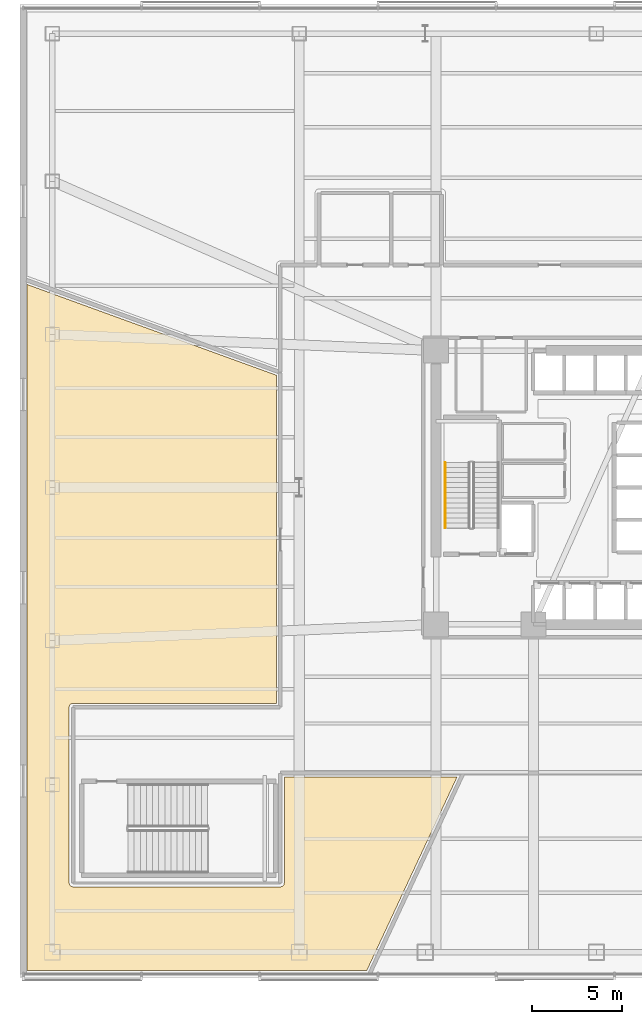
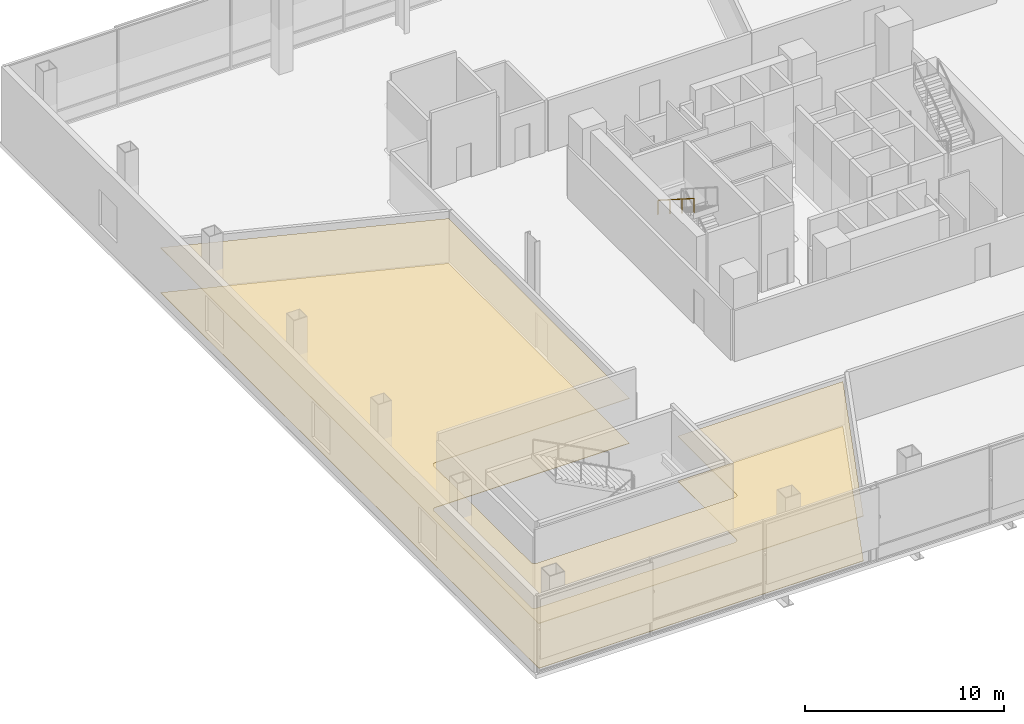
# One storey, part 19 of 24: 2 coverings, 1 railing.
"""IFC4 building model written with IfcOpenShell, lengths in metres."""

from ifc_helpers import new_model, si_unit, direction, frame, origin, origin_2d, place, context, subcontext, project, spatial, polyline, rectangle, outline, extrude, material, layer, layer_set, type_object, element, save


model = new_model("IFC4")

# Units and contexts
model_context = context("Model", 3, precision=1e-05, world=origin(), true_north=direction((0.0, 1.0)))
body_context = subcontext(model_context, "Body", "Model", "MODEL_VIEW")
ifc_project = project(units=[si_unit("LENGTHUNIT", "METRE"), si_unit("AREAUNIT", "SQUARE_METRE"), si_unit("VOLUMEUNIT", "CUBIC_METRE"), si_unit("PLANEANGLEUNIT", "RADIAN"), si_unit("MASSUNIT", "GRAM", prefix="KILO")], contexts=[model_context])

# Site, building, storey
site_placement = place(None, origin())
site = spatial("IfcSite", under=ifc_project, at=site_placement, CompositionType="ELEMENT")
building_placement = place(site_placement, origin())
building = spatial("IfcBuilding", under=site, at=building_placement, Name="Tharavind Bronze Gate", CompositionType="ELEMENT")
storey_placement = place(building_placement, frame((0.0, 0.0, 21.5)))
storey = spatial("IfcBuildingStorey", under=building, at=storey_placement, Name="L04", CompositionType="ELEMENT", Elevation=21.5)

# Coverings
ifc_material_1 = material(Name="Perforated Bronze Acoustic Panel", Category="bronze")
ifc_layer_1 = layer(ifc_material_1, 0.044921875)
ifc_layer_set_1 = layer_set([ifc_layer_1], Name="Perforated Bronze Acoustic Panel")
covering_type_1 = type_object("IfcCoveringType", Name="ACOUSTIC BRONZE BAFFLE CEILING", PredefinedType="CEILING", material=ifc_layer_set_1)
covering_1_placement = place(storey_placement, frame((0.0, 0.0, 2.75)))
element("IfcCovering", 1, at=covering_1_placement, inside=storey, type_object=covering_type_1, Name="L04-PD-03 suspended ceiling", PredefinedType="CEILING", context=body_context, shape_type="SweptSolid", body=[
    extrude(outline(polyline([(-31.60009765625, -26.800048828125), (-12.73974609375, -26.800048828125), (-7.736328125, -16.070068359375), (-17.330078125, -16.070068359375), (-17.330078125, -21.949462890625), (-17.330322265625, -21.960205078125), (-17.330322265625, -21.960693359375), (-17.33251953125, -21.982421875), (-17.336669921875, -22.00341796875), (-17.343017578125, -22.024169921875), (-17.351318359375, -22.0439453125), (-17.361328125, -22.06298828125), (-17.373291015625, -22.0810546875), (-17.386962890625, -22.09765625), (-17.40234375, -22.113037109375), (-17.4189453125, -22.126708984375), (-17.43701171875, -22.138671875), (-17.4560546875, -22.148681640625), (-17.475830078125, -22.156982421875), (-17.49658203125, -22.163330078125), (-17.517578125, -22.16748046875), (-17.539306640625, -22.169677734375), (-17.539794921875, -22.169677734375), (-17.550537109375, -22.169921875), (-29.04931640625, -22.169921875), (-29.060302734375, -22.169677734375), (-29.060791015625, -22.169677734375), (-29.082275390625, -22.16748046875), (-29.103515625, -22.163330078125), (-29.1240234375, -22.156982421875), (-29.14404296875, -22.148681640625), (-29.1630859375, -22.138671875), (-29.180908203125, -22.126708984375), (-29.19775390625, -22.113037109375), (-29.212890625, -22.09765625), (-29.226806640625, -22.0810546875), (-29.23876953125, -22.06298828125), (-29.248779296875, -22.0439453125), (-29.257080078125, -22.024169921875), (-29.263427734375, -22.00341796875), (-29.267578125, -21.982421875), (-29.269775390625, -21.960693359375), (-29.269775390625, -21.960205078125), (-29.27001953125, -21.949462890625), (-29.27001953125, -12.20068359375), (-29.269775390625, -12.189697265625), (-29.269775390625, -12.189208984375), (-29.267578125, -12.167724609375), (-29.263427734375, -12.146484375), (-29.257080078125, -12.1259765625), (-29.248779296875, -12.10595703125), (-29.23876953125, -12.0869140625), (-29.226806640625, -12.069091796875), (-29.212890625, -12.05224609375), (-29.19775390625, -12.037109375), (-29.180908203125, -12.023193359375), (-29.1630859375, -12.01123046875), (-29.14404296875, -12.001220703125), (-29.1240234375, -11.992919921875), (-29.103515625, -11.986572265625), (-29.082275390625, -11.982421875), (-29.060791015625, -11.980224609375), (-29.060302734375, -11.980224609375), (-29.04931640625, -11.97998046875), (-17.77001953125, -11.97998046875), (-17.77001953125, 6.233642578125), (-31.60009765625, 11.267333984375), (-31.60009765625, -26.800048828125)])), origin(), (0.0, 0.0, 1.0), 0.034912109375),
])
ifc_material_2 = material(Name="Honed Travertine Limestone", Category="masonry")
ifc_layer_2 = layer(ifc_material_2, 0.030029296875)
ifc_layer_set_2 = layer_set([ifc_layer_2], Name="Honed Travertine Limestone")
covering_type_2 = type_object("IfcCoveringType", Name="HONED LIMESTONE FLOORING", PredefinedType="FLOORING", material=ifc_layer_set_2)
covering_2_placement = place(storey_placement, origin())
element("IfcCovering", 2, at=covering_2_placement, inside=storey, type_object=covering_type_2, Name="L04-PD-03 floor finish", PredefinedType="FLOORING", context=body_context, shape_type="SweptSolid", body=[
    extrude(outline(polyline([(-31.60009765625, -26.800048828125), (-12.73974609375, -26.800048828125), (-7.736328125, -16.070068359375), (-17.330078125, -16.070068359375), (-17.330078125, -21.949462890625), (-17.330322265625, -21.960205078125), (-17.330322265625, -21.960693359375), (-17.33251953125, -21.982421875), (-17.336669921875, -22.00341796875), (-17.343017578125, -22.024169921875), (-17.351318359375, -22.0439453125), (-17.361328125, -22.06298828125), (-17.373291015625, -22.0810546875), (-17.386962890625, -22.09765625), (-17.40234375, -22.113037109375), (-17.4189453125, -22.126708984375), (-17.43701171875, -22.138671875), (-17.4560546875, -22.148681640625), (-17.475830078125, -22.156982421875), (-17.49658203125, -22.163330078125), (-17.517578125, -22.16748046875), (-17.539306640625, -22.169677734375), (-17.539794921875, -22.169677734375), (-17.550537109375, -22.169921875), (-29.04931640625, -22.169921875), (-29.060302734375, -22.169677734375), (-29.060791015625, -22.169677734375), (-29.082275390625, -22.16748046875), (-29.103515625, -22.163330078125), (-29.1240234375, -22.156982421875), (-29.14404296875, -22.148681640625), (-29.1630859375, -22.138671875), (-29.180908203125, -22.126708984375), (-29.19775390625, -22.113037109375), (-29.212890625, -22.09765625), (-29.226806640625, -22.0810546875), (-29.23876953125, -22.06298828125), (-29.248779296875, -22.0439453125), (-29.257080078125, -22.024169921875), (-29.263427734375, -22.00341796875), (-29.267578125, -21.982421875), (-29.269775390625, -21.960693359375), (-29.269775390625, -21.960205078125), (-29.27001953125, -21.949462890625), (-29.27001953125, -12.20068359375), (-29.269775390625, -12.189697265625), (-29.269775390625, -12.189208984375), (-29.267578125, -12.167724609375), (-29.263427734375, -12.146484375), (-29.257080078125, -12.1259765625), (-29.248779296875, -12.10595703125), (-29.23876953125, -12.0869140625), (-29.226806640625, -12.069091796875), (-29.212890625, -12.05224609375), (-29.19775390625, -12.037109375), (-29.180908203125, -12.023193359375), (-29.1630859375, -12.01123046875), (-29.14404296875, -12.001220703125), (-29.1240234375, -11.992919921875), (-29.103515625, -11.986572265625), (-29.082275390625, -11.982421875), (-29.060791015625, -11.980224609375), (-29.060302734375, -11.980224609375), (-29.04931640625, -11.97998046875), (-17.77001953125, -11.97998046875), (-17.77001953125, 6.233642578125), (-31.60009765625, 11.267333984375), (-31.60009765625, -26.800048828125)])), origin(), (0.0, 0.0, 1.0), 0.02490234375),
])

# Railing
ifc_material_3 = material(Name="Brushed Bronze Alloy", Category="metal")
railing_type = type_object("IfcRailingType", Name="STAIR BRONZE HANDRAIL 900", PredefinedType="HANDRAIL", material=ifc_material_3)
railing_placement = place(storey_placement, frame((-8.39990234375, 1.389892578125, 2.678466796875)))
element("IfcRailing", 3, at=railing_placement, inside=storey, type_object=railing_type, Name="L04 ST1 stair handrail 2", PredefinedType="HANDRAIL", context=body_context, shape_type="SweptSolid", body=[
    extrude(rectangle(XDim=0.048095703125, YDim=0.048095703125, at=origin_2d()), frame((0.0, -0.027099609375, 0.89306640625), z_axis=(0.0, -0.843111507901, 0.53773877045), x_axis=(1.0, 0.0, 0.0)), (0.0, 0.0, 1.0), 4.253173828125),
    extrude(rectangle(XDim=0.0400390625, YDim=0.0400390625, at=origin_2d()), origin(), (0.0, 0.0, 1.0), 0.847900390625),
    extrude(rectangle(XDim=0.0400390625, YDim=0.0400390625, at=origin_2d()), frame((0.0, -1.21337890625, 0.77392578125)), (0.0, 0.0, 1.0), 0.847900390625),
    extrude(rectangle(XDim=0.0400390625, YDim=0.0400390625, at=origin_2d()), frame((0.0, -2.426513671875, 1.547607421875)), (0.0, 0.0, 1.0), 0.847900390625),
    extrude(rectangle(XDim=0.0400390625, YDim=0.0400390625, at=origin_2d()), frame((0.0, -3.639892578125, 2.321533203125)), (0.0, 0.0, 1.0), 0.847900390625),
])

save(model, "model.ifc")
